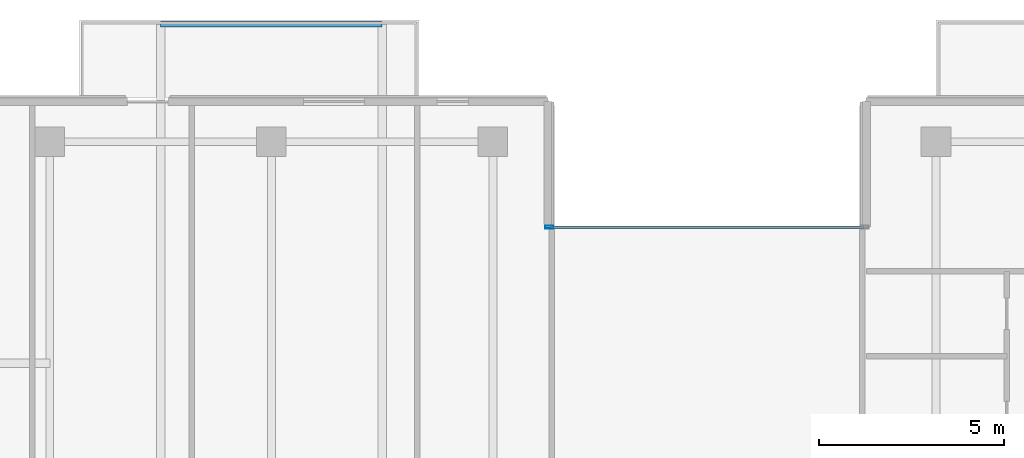
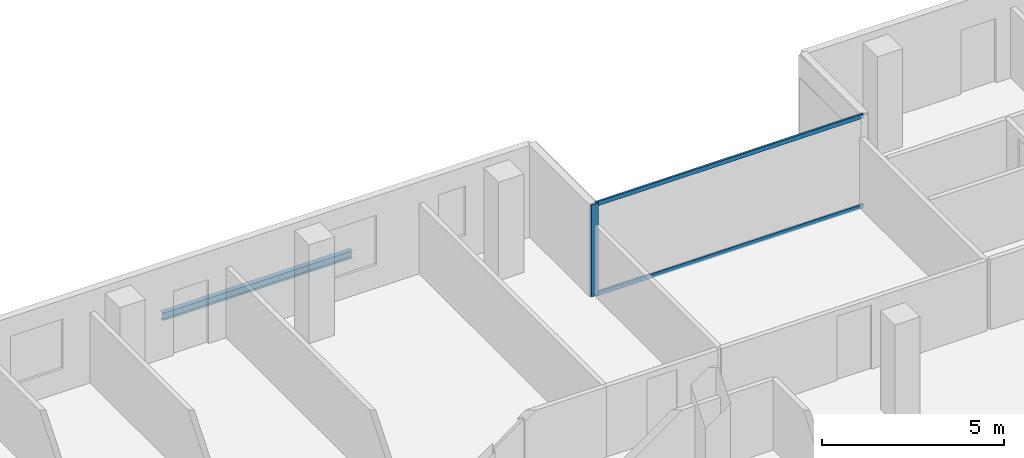
# One storey, part 10 of 28: 3 members, 1 beam, 1 element without a shape of its own.
"""IFC4 building model written with IfcOpenShell, lengths in metres."""

from ifc_helpers import new_model, si_unit, direction, frame, origin, origin_2d, place, context, subcontext, project, spatial, hollow_rectangle, i_section, extrude, material, layer, layer_set, material_profile, profile_set, type_object, element, aggregate, save


model = new_model("IFC4")

# Units and contexts
model_context = context("Model", 3, precision=1e-05, world=origin(), true_north=direction((0.0, 1.0)))
body_context = subcontext(model_context, "Body", "Model", "MODEL_VIEW")
ifc_project = project(units=[si_unit("LENGTHUNIT", "METRE"), si_unit("AREAUNIT", "SQUARE_METRE"), si_unit("VOLUMEUNIT", "CUBIC_METRE"), si_unit("PLANEANGLEUNIT", "RADIAN"), si_unit("MASSUNIT", "GRAM", prefix="KILO")], contexts=[model_context])

# Site, building, storey
site_placement = place(None, origin())
site = spatial("IfcSite", under=ifc_project, at=site_placement, CompositionType="ELEMENT")
building_placement = place(site_placement, origin())
building = spatial("IfcBuilding", under=site, at=building_placement, Name="Tanjung Sevakor Pilgrim Tower", CompositionType="ELEMENT")
storey_placement = place(building_placement, frame((0.0, 0.0, 185.1298828125)))
storey = spatial("IfcBuildingStorey", under=building, at=storey_placement, Name="L51", CompositionType="ELEMENT", Elevation=185.1298828125)

# Beam
ifc_material_1 = material(Name="Steel S355J2", Category="steel")
ifc_material_profile_1 = material_profile(ifc_material_1, i_section(OverallWidth=0.146484375, OverallDepth=0.256103515625, WebThickness=0.00634765625, FlangeThickness=0.010986328125, FilletRadius=0.007568359375, at=origin_2d()))
ifc_profile_set_1 = profile_set([ifc_material_profile_1], Name="Steel S355J2")
beam_type = type_object("IfcBeamType", Name="BM-B-J6-UB_254x146x37", PredefinedType="JOIST", material=ifc_profile_set_1)
beam_placement = place(storey_placement, frame((33.0, 57.1298828125, -0.327880859375), z_axis=(1.0, 0.0, 0.0), x_axis=(0.0, 1.0, 0.0)))
element("IfcBeam", 1, at=beam_placement, inside=storey, type_object=beam_type, Name="L51 Balcony Rim Tie MAIN-N1", PredefinedType="JOIST", context=body_context, shape_type="SweptSolid", body=[
    extrude(i_section(OverallWidth=0.146484375, OverallDepth=0.256103515625, WebThickness=0.00634765625, FlangeThickness=0.010986328125, FilletRadius=0.007568359375, at=origin_2d()), origin(), (0.0, 0.0, 1.0), 6.0),
])

# Curtain wall, members
ifc_material_2 = material(Name="Aluminium 6063-T6 and Low-E Glass", Category="aluminium")
ifc_layer = layer(ifc_material_2, 0.179931640625)
ifc_layer_set = layer_set([ifc_layer], Name="CW-SYS-CLEFT")
curtain_wall_type = type_object("IfcCurtainWallType", Name="CW-SYS-CLEFT", PredefinedType="NOTDEFINED", material=ifc_layer_set)
curtain_wall_placement = place(storey_placement, origin())
curtain_wall = element("IfcCurtainWall", 2, at=curtain_wall_placement, inside=storey, type_object=curtain_wall_type, Name="L51 Curtain Wall CW-CLF-L51-10", PredefinedType="NOTDEFINED")
ifc_material_3 = material(Name="Aluminium 6063-T6", Category="aluminium")
ifc_material_profile_2 = material_profile(ifc_material_3, hollow_rectangle(XDim=0.074951171875, YDim=0.219970703125, WallThickness=0.0048828125, at=origin_2d()))
ifc_profile_set_2 = profile_set([ifc_material_profile_2], Name="Aluminium 6063-T6")
member_type_1 = type_object("IfcMemberType", Name="TYPE-CWM-2", PredefinedType="MULLION", material=ifc_profile_set_2)
member_1_placement = place(storey_placement, frame((43.527587890625, 51.639892578125, 0.0), z_axis=(0.0, 0.0, 1.0), x_axis=(0.0, -1.0, 0.0)))
member_1 = element("IfcMember", 3, at=member_1_placement, type_object=member_type_1, Name="CW-CLF mullion 2", PredefinedType="MULLION", context=body_context, shape_type="SweptSolid", body=[
    extrude(hollow_rectangle(XDim=0.074951171875, YDim=0.219970703125, WallThickness=0.0048828125, at=origin_2d()), origin(), (0.0, 0.0, 1.0), 3.080078125),
])
ifc_material_4 = material(Name="Aluminium 6063-T6", Category="aluminium")
ifc_material_profile_3 = material_profile(ifc_material_4, hollow_rectangle(XDim=0.06494140625, YDim=0.139892578125, WallThickness=0.00390625, at=origin_2d()))
ifc_profile_set_3 = profile_set([ifc_material_profile_3], Name="Aluminium 6063-T6")
member_type_2 = type_object("IfcMemberType", Name="TYPE-CWT-1", PredefinedType="USERDEFINED", material=ifc_profile_set_3)
member_2_placement = place(storey_placement, frame((52.034912109375, 51.639892578125, 0.03271484375), z_axis=(-1.0, 0.0, 0.0), x_axis=(0.0, -1.0, 0.0)))
member_2 = element("IfcMember", 4, at=member_2_placement, type_object=member_type_2, Name="CW-CLF transom 1.1", ObjectType="TRANSOM", PredefinedType="USERDEFINED", context=body_context, shape_type="SweptSolid", body=[
    extrude(hollow_rectangle(XDim=0.06494140625, YDim=0.139892578125, WallThickness=0.00390625, at=origin_2d()), origin(), (0.0, 0.0, 1.0), 8.469970703125),
])
member_3_placement = place(storey_placement, frame((52.034912109375, 51.639892578125, 3.047607421875), z_axis=(-1.0, 0.0, 0.0), x_axis=(0.0, -1.0, 0.0)))
member_3 = element("IfcMember", 5, at=member_3_placement, type_object=member_type_2, Name="CW-CLF transom 1.2", ObjectType="TRANSOM", PredefinedType="USERDEFINED", context=body_context, shape_type="SweptSolid", body=[
    extrude(hollow_rectangle(XDim=0.06494140625, YDim=0.139892578125, WallThickness=0.00390625, at=origin_2d()), origin(), (0.0, 0.0, 1.0), 8.469970703125),
])
aggregate(curtain_wall, [member_1, member_2, member_3])

save(model, "model.ifc")
